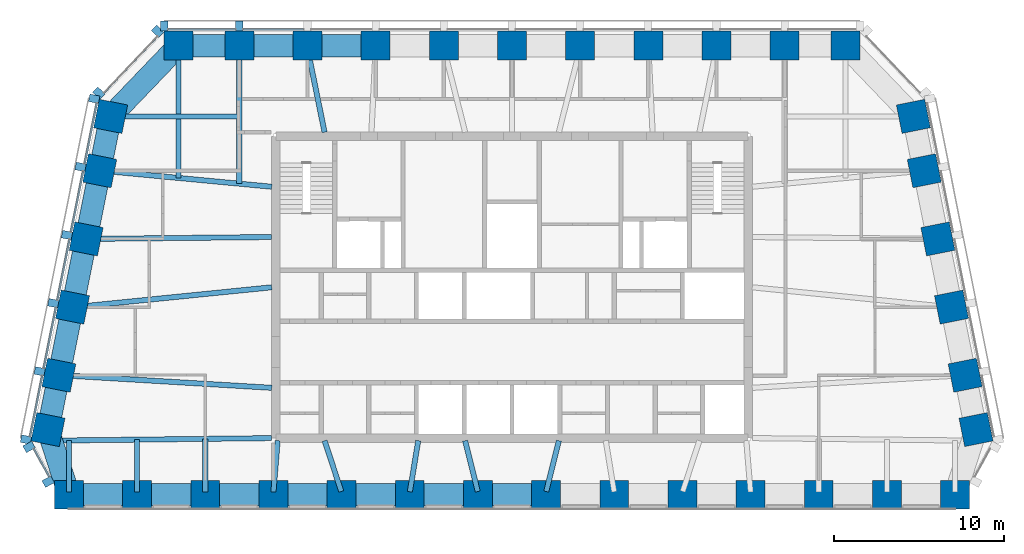
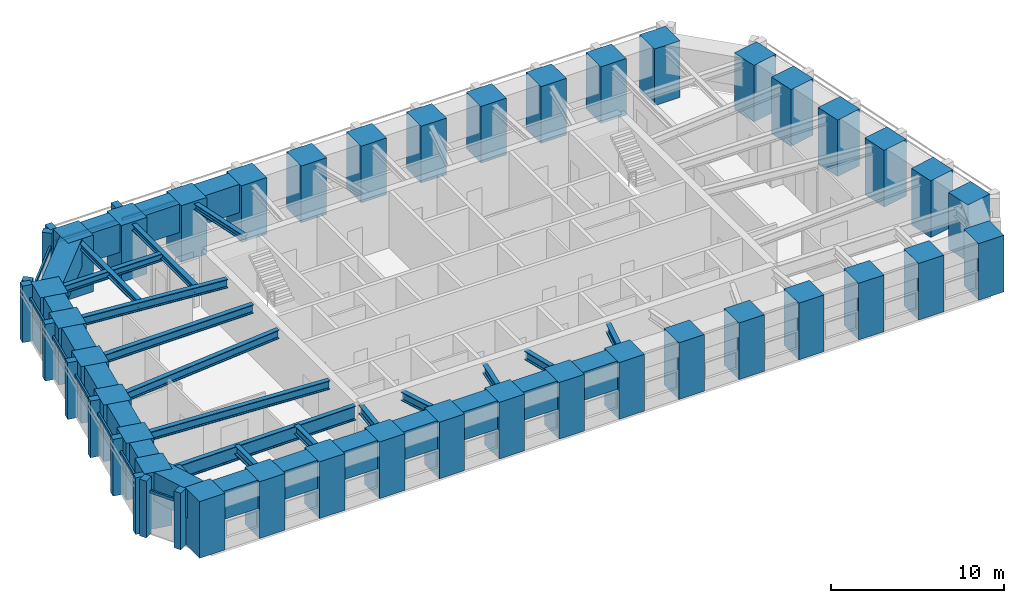
# One storey, part 1 of 9: 37 columns, 34 beams, 21 members, 4 elements without a shape of their own.
"""IFC4 building model written with IfcOpenShell, lengths in metres."""

from ifc_helpers import new_model, si_unit, direction, frame, origin, origin_2d, place, context, subcontext, project, spatial, rectangle, i_section, extrude, material, material_profile, profile_set, type_object, element, aggregate, save


model = new_model("IFC4")

# Units and contexts
model_context = context("Model", 3, precision=1e-05, world=origin(), true_north=direction((0.0, 1.0)))
body_context = subcontext(model_context, "Body", "Model", "MODEL_VIEW")
ifc_project = project(units=[si_unit("LENGTHUNIT", "METRE"), si_unit("AREAUNIT", "SQUARE_METRE"), si_unit("VOLUMEUNIT", "CUBIC_METRE"), si_unit("PLANEANGLEUNIT", "RADIAN"), si_unit("MASSUNIT", "GRAM", prefix="KILO")], contexts=[model_context])

# Site, building, storey
site_placement = place(None, origin())
site = spatial("IfcSite", under=ifc_project, at=site_placement, CompositionType="ELEMENT")
building_placement = place(site_placement, origin())
building = spatial("IfcBuilding", under=site, at=building_placement, Name="Isbrekke Arena Tower", CompositionType="ELEMENT")
storey_placement = place(building_placement, frame((0.0, 0.0, 316.0)))
storey = spatial("IfcBuildingStorey", under=building, at=storey_placement, Name="L74", CompositionType="ELEMENT", Elevation=316.0)

# Columns
ifc_material_1 = material(Name="Concrete B55 (C55/67)", Category="concrete")
ifc_material_profile_1 = material_profile(ifc_material_1, rectangle(XDim=1.699951171875, YDim=1.699951171875, at=origin_2d()), Name="RC 1700x1700")
ifc_profile_set_1 = profile_set([ifc_material_profile_1], Name="Concrete B55 (C55/67)")
column_type = type_object("IfcColumnType", Name="C5 RC 1700 x 1700", PredefinedType="COLUMN", material=ifc_profile_set_1)
for number, where, z_axis, x_axis, name in (
    (1, (-26.0, 2.824951171875, 0.0), (0.0, 0.0, 1.0), (1.0, 0.0, 0.0), "C5 S01"),
    (2, (-22.0, 2.824951171875, 0.0), (0.0, 0.0, 1.0), (1.0, 0.0, 0.0), "C5 S02"),
    (3, (-18.0, 2.824951171875, 0.0), (0.0, 0.0, 1.0), (1.0, 0.0, 0.0), "C5 S03"),
    (4, (-14.0, 2.824951171875, 0.0), (0.0, 0.0, 1.0), (1.0, 0.0, 0.0), "C5 S04"),
    (5, (-10.0, 2.824951171875, 0.0), (0.0, 0.0, 1.0), (1.0, 0.0, 0.0), "C5 S05"),
    (6, (-6.0, 2.824951171875, 0.0), (0.0, 0.0, 1.0), (1.0, 0.0, 0.0), "C5 S06"),
    (7, (-2.0, 2.824951171875, 0.0), (0.0, 0.0, 1.0), (1.0, 0.0, 0.0), "C5 S07"),
    (8, (2.0, 2.824951171875, 0.0), (0.0, 0.0, 1.0), (1.0, 0.0, 0.0), "C5 S08"),
    (9, (6.0, 2.824951171875, 0.0), (0.0, 0.0, 1.0), (1.0, 0.0, 0.0), "C5 S09"),
    (10, (10.0, 2.824951171875, 0.0), (0.0, 0.0, 1.0), (1.0, 0.0, 0.0), "C5 S10"),
    (11, (14.0, 2.824951171875, 0.0), (0.0, 0.0, 1.0), (1.0, 0.0, 0.0), "C5 S11"),
    (12, (18.0, 2.824951171875, 0.0), (0.0, 0.0, 1.0), (1.0, 0.0, 0.0), "C5 S12"),
    (13, (22.0, 2.824951171875, 0.0), (0.0, 0.0, 1.0), (1.0, 0.0, 0.0), "C5 S13"),
    (14, (26.0, 2.824951171875, 0.0), (0.0, 0.0, 1.0), (1.0, 0.0, 0.0), "C5 S14"),
    (15, (27.229248046875, 6.647216796875, 0.0), (0.0, 0.0, 1.0), (-0.196116135138, 0.980580675691, 0.0), "C5 E01"),
    (16, (26.591064453125, 9.838134765625, 0.0), (0.0, 0.0, 1.0), (-0.196116135138, 0.980580675691, 0.0), "C5 E02"),
    (17, (25.791015625, 13.838134765625, 0.0), (0.0, 0.0, 1.0), (-0.196116135138, 0.980580675691, 0.0), "C5 E03"),
    (18, (24.990966796875, 17.838134765625, 0.0), (0.0, 0.0, 1.0), (-0.196116135138, 0.980580675691, 0.0), "C5 E04"),
    (19, (24.19091796875, 21.838134765625, 0.0), (0.0, 0.0, 1.0), (-0.196116135138, 0.980580675691, 0.0), "C5 E05"),
    (20, (23.552734375, 25.029296875, 0.0), (0.0, 0.0, 1.0), (-0.196116135138, 0.980580675691, 0.0), "C5 E06"),
    (21, (19.574951171875, 29.175048828125, 0.0), (0.0, 0.0, 1.0), (-1.0, 0.0, 0.0), "C5 N01"),
    (22, (16.0, 29.175048828125, 0.0), (0.0, 0.0, 1.0), (-1.0, 0.0, 0.0), "C5 N02"),
    (23, (12.0, 29.175048828125, 0.0), (0.0, 0.0, 1.0), (-1.0, 0.0, 0.0), "C5 N03"),
    (24, (8.0, 29.175048828125, 0.0), (0.0, 0.0, 1.0), (-1.0, 0.0, 0.0), "C5 N04"),
    (25, (4.0, 29.175048828125, 0.0), (0.0, 0.0, 1.0), (-1.0, 0.0, 0.0), "C5 N05"),
    (26, (0.0, 29.175048828125, 0.0), (0.0, 0.0, 1.0), (-1.0, 0.0, 0.0), "C5 N06"),
    (27, (-4.0, 29.175048828125, 0.0), (0.0, 0.0, 1.0), (-1.0, 0.0, 0.0), "C5 N07"),
    (28, (-8.0, 29.175048828125, 0.0), (0.0, 0.0, 1.0), (-1.0, 0.0, 0.0), "C5 N08"),
    (29, (-12.0, 29.175048828125, 0.0), (0.0, 0.0, 1.0), (-1.0, 0.0, 0.0), "C5 N09"),
    (30, (-16.0, 29.175048828125, 0.0), (0.0, 0.0, 1.0), (-1.0, 0.0, 0.0), "C5 N10"),
    (31, (-19.574951171875, 29.175048828125, 0.0), (0.0, 0.0, 1.0), (-1.0, 0.0, 0.0), "C5 N11"),
    (32, (-23.552734375, 25.029296875, 0.0), (0.0, 0.0, 1.0), (-0.196116135138, -0.980580675691, 0.0), "C5 W01"),
    (33, (-24.19091796875, 21.838134765625, 0.0), (0.0, 0.0, 1.0), (-0.196116135138, -0.980580675691, 0.0), "C5 W02"),
    (34, (-24.990966796875, 17.838134765625, 0.0), (0.0, 0.0, 1.0), (-0.196116135138, -0.980580675691, 0.0), "C5 W03"),
    (35, (-25.791015625, 13.838134765625, 0.0), (0.0, 0.0, 1.0), (-0.196116135138, -0.980580675691, 0.0), "C5 W04"),
    (36, (-26.591064453125, 9.838134765625, 0.0), (0.0, 0.0, 1.0), (-0.196116135138, -0.980580675691, 0.0), "C5 W05"),
    (37, (-27.229248046875, 6.647216796875, 0.0), (0.0, 0.0, 1.0), (-0.196116135138, -0.980580675691, 0.0), "C5 W06"),
):
    element("IfcColumn", number, at=place(storey_placement, frame(where, z_axis=z_axis, x_axis=x_axis)), inside=storey, type_object=column_type, Name=name, PredefinedType="COLUMN", context=body_context, shape_type="SweptSolid", body=[
        extrude(rectangle(XDim=1.699951171875, YDim=1.699951171875, at=origin_2d()), origin(), (0.0, 0.0, 1.0), 4.0),
    ])

# Beams
ifc_material_2 = material(Name="Steel S355", Category="steel")
ifc_material_profile_2 = material_profile(ifc_material_2, i_section(OverallWidth=0.304931640625, OverallDepth=0.6201171875, WebThickness=0.02099609375, FlangeThickness=0.0400390625, FilletRadius=0.027099609375, at=origin_2d()), Name="HEM 600")
ifc_profile_set_2 = profile_set([ifc_material_profile_2], Name="Steel S355")
beam_type_1 = type_object("IfcBeamType", Name="B4 HEM 600", PredefinedType="BEAM", material=ifc_profile_set_2)
beam_1_placement = place(storey_placement, frame((-26.0, 2.97509765625, 3.5400390625), z_axis=(0.0, 1.0, 0.0), x_axis=(-1.0, 0.0, 0.0)))
element("IfcBeam", 38, at=beam_1_placement, inside=storey, type_object=beam_type_1, Name="B4 beam C-S01 L74", PredefinedType="BEAM", context=body_context, shape_type="SweptSolid", body=[
    extrude(i_section(OverallWidth=0.304931640625, OverallDepth=0.6201171875, WebThickness=0.02099609375, FlangeThickness=0.0400390625, FilletRadius=0.027099609375, at=origin_2d()), origin(), (0.0, 0.0, 1.0), 3.0390625),
])
beam_2_placement = place(storey_placement, frame((-22.0, 2.97509765625, 3.5400390625), z_axis=(0.0, 1.0, 0.0), x_axis=(-1.0, 0.0, 0.0)))
element("IfcBeam", 39, at=beam_2_placement, inside=storey, type_object=beam_type_1, Name="B4 beam C-S02 L74", PredefinedType="BEAM", context=body_context, shape_type="SweptSolid", body=[
    extrude(i_section(OverallWidth=0.304931640625, OverallDepth=0.6201171875, WebThickness=0.02099609375, FlangeThickness=0.0400390625, FilletRadius=0.027099609375, at=origin_2d()), origin(), (0.0, 0.0, 1.0), 3.084716796875),
])
beam_3_placement = place(storey_placement, frame((-18.0, 2.97509765625, 3.5400390625), z_axis=(0.0, 1.0, 0.0), x_axis=(-1.0, 0.0, 0.0)))
element("IfcBeam", 40, at=beam_3_placement, inside=storey, type_object=beam_type_1, Name="B4 beam C-S03 L74", PredefinedType="BEAM", context=body_context, shape_type="SweptSolid", body=[
    extrude(i_section(OverallWidth=0.304931640625, OverallDepth=0.6201171875, WebThickness=0.02099609375, FlangeThickness=0.0400390625, FilletRadius=0.027099609375, at=origin_2d()), origin(), (0.0, 0.0, 1.0), 3.13037109375),
])
beam_4_placement = place(storey_placement, frame((-13.9990234375, 2.987548828125, 3.5400390625), z_axis=(0.082383718089, 0.996600683822, 0.0), x_axis=(-0.996600683822, 0.082383718089, 0.0)))
element("IfcBeam", 41, at=beam_4_placement, inside=storey, type_object=beam_type_1, Name="B4 beam C-S04 L74", PredefinedType="BEAM", context=body_context, shape_type="SweptSolid", body=[
    extrude(i_section(OverallWidth=0.304931640625, OverallDepth=0.6201171875, WebThickness=0.02099609375, FlangeThickness=0.0400390625, FilletRadius=0.027099609375, at=origin_2d()), origin(), (0.0, 0.0, 1.0), 3.022705078125),
])
beam_5_placement = place(storey_placement, frame((-10.01513671875, 3.0205078125, 3.5400390625), z_axis=(-0.313846083605, 0.949473873156, 0.0), x_axis=(-0.949473873156, -0.313846083605, 0.0)))
element("IfcBeam", 42, at=beam_5_placement, inside=storey, type_object=beam_type_1, Name="B4 beam C-S05 L74", PredefinedType="BEAM", context=body_context, shape_type="SweptSolid", body=[
    extrude(i_section(OverallWidth=0.304931640625, OverallDepth=0.6201171875, WebThickness=0.02099609375, FlangeThickness=0.0400390625, FilletRadius=0.027099609375, at=origin_2d()), origin(), (0.0, 0.0, 1.0), 3.137939453125),
])
beam_6_placement = place(storey_placement, frame((-5.995849609375, 2.99951171875, 3.5400390625), z_axis=(0.163044952053, 0.986618641426, 0.0), x_axis=(-0.986618641426, 0.163044952053, 0.0)))
element("IfcBeam", 43, at=beam_6_placement, inside=storey, type_object=beam_type_1, Name="B4 beam C-S06 L74", PredefinedType="BEAM", context=body_context, shape_type="SweptSolid", body=[
    extrude(i_section(OverallWidth=0.304931640625, OverallDepth=0.6201171875, WebThickness=0.02099609375, FlangeThickness=0.0400390625, FilletRadius=0.027099609375, at=origin_2d()), origin(), (0.0, 0.0, 1.0), 3.041259765625),
])
for number, where, z_axis, x_axis, name in (
    (44, (-2.0087890625, 3.0107421875, 3.5400390625), (-0.240669951999, 0.970607013268, 0.0), (-0.970607013268, -0.240669951999, 0.0), "B4 beam C-S07 L74"),
    (45, (2.0087890625, 3.0107421875, 3.5400390625), (0.240669951999, 0.970607013268, 0.0), (-0.970607013268, 0.240669951999, 0.0), "B4 beam C-S08 L74"),
):
    element("IfcBeam", number, at=place(storey_placement, frame(where, z_axis=z_axis, x_axis=x_axis)), inside=storey, type_object=beam_type_1, Name=name, PredefinedType="BEAM", context=body_context, shape_type="SweptSolid", body=[
        extrude(i_section(OverallWidth=0.304931640625, OverallDepth=0.6201171875, WebThickness=0.02099609375, FlangeThickness=0.0400390625, FilletRadius=0.027099609375, at=origin_2d()), origin(), (0.0, 0.0, 1.0), 3.079833984375),
    ])
beam_7_placement = place(storey_placement, frame((-24.02685546875, 21.8369140625, 3.5400390625), z_axis=(0.995574576627, -0.093974796485, 0.0), x_axis=(0.093974796485, 0.995574576627, 0.0)))
element("IfcBeam", 46, at=beam_7_placement, inside=storey, type_object=beam_type_1, Name="B4 beam E-W02 L74", PredefinedType="BEAM", context=body_context, shape_type="SweptSolid", body=[
    extrude(i_section(OverallWidth=0.304931640625, OverallDepth=0.6201171875, WebThickness=0.02099609375, FlangeThickness=0.0400390625, FilletRadius=0.027099609375, at=origin_2d()), origin(), (0.0, 0.0, 1.0), 9.970947265625),
])
beam_8_placement = place(storey_placement, frame((-24.83935546875, 17.838134765625, 3.5400390625), z_axis=(0.999945800258, 0.010411366203, 0.0), x_axis=(-0.010411366203, 0.999945800258, 0.0)))
element("IfcBeam", 47, at=beam_8_placement, inside=storey, type_object=beam_type_1, Name="B4 beam E-W03 L74", PredefinedType="BEAM", context=body_context, shape_type="SweptSolid", body=[
    extrude(i_section(OverallWidth=0.304931640625, OverallDepth=0.6201171875, WebThickness=0.02099609375, FlangeThickness=0.0400390625, FilletRadius=0.027099609375, at=origin_2d()), origin(), (0.0, 0.0, 1.0), 10.73974609375),
])
beam_9_placement = place(storey_placement, frame((-25.625732421875, 13.83984375, 3.5400390625), z_axis=(0.994972081505, 0.100152668587, 0.0), x_axis=(-0.100152668587, 0.994972081505, 0.0)))
element("IfcBeam", 48, at=beam_9_placement, inside=storey, type_object=beam_type_1, Name="B4 beam E-W04 L74", PredefinedType="BEAM", context=body_context, shape_type="SweptSolid", body=[
    extrude(i_section(OverallWidth=0.304931640625, OverallDepth=0.6201171875, WebThickness=0.02099609375, FlangeThickness=0.0400390625, FilletRadius=0.027099609375, at=origin_2d()), origin(), (0.0, 0.0, 1.0), 11.583984375),
])
beam_10_placement = place(storey_placement, frame((-26.431884765625, 9.837646484375, 3.5400390625), z_axis=(0.998216240514, -0.059702070095, 0.0), x_axis=(0.059702070095, 0.998216240514, 0.0)))
element("IfcBeam", 49, at=beam_10_placement, inside=storey, type_object=beam_type_1, Name="B4 beam E-W05 L74", PredefinedType="BEAM", context=body_context, shape_type="SweptSolid", body=[
    extrude(i_section(OverallWidth=0.304931640625, OverallDepth=0.6201171875, WebThickness=0.02099609375, FlangeThickness=0.0400390625, FilletRadius=0.027099609375, at=origin_2d()), origin(), (0.0, 0.0, 1.0), 12.353759765625),
])
ifc_material_3 = material(Name="Steel S355", Category="steel")
ifc_material_profile_3 = material_profile(ifc_material_3, i_section(OverallWidth=0.305908203125, OverallDepth=0.52392578125, WebThickness=0.02099609375, FlangeThickness=0.0400390625, FilletRadius=0.027099609375, at=origin_2d()), Name="HEM 500")
ifc_profile_set_3 = profile_set([ifc_material_profile_3], Name="Steel S355")
beam_type_2 = type_object("IfcBeamType", Name="B5 HEM 500", PredefinedType="BEAM", material=ifc_profile_set_3)
beam_11_placement = place(storey_placement, frame((-23.40283203125, 25.029296875, 3.587890625), z_axis=(1.0, 0.0, 0.0), x_axis=(0.0, 1.0, 0.0)))
element("IfcBeam", 50, at=beam_11_placement, inside=storey, type_object=beam_type_2, Name="B5 beam E-W01 L74", PredefinedType="BEAM", context=body_context, shape_type="SweptSolid", body=[
    extrude(i_section(OverallWidth=0.305908203125, OverallDepth=0.52392578125, WebThickness=0.02099609375, FlangeThickness=0.0400390625, FilletRadius=0.027099609375, at=origin_2d()), origin(), (0.0, 0.0, 1.0), 7.40283203125),
])
ifc_material_4 = material(Name="Steel S355", Category="steel")
ifc_material_profile_4 = material_profile(ifc_material_4, i_section(OverallWidth=0.306884765625, OverallDepth=0.431884765625, WebThickness=0.02099609375, FlangeThickness=0.0400390625, FilletRadius=0.027099609375, at=origin_2d()), Name="HEM 400")
ifc_profile_set_4 = profile_set([ifc_material_profile_4], Name="Steel S355")
beam_type_3 = type_object("IfcBeamType", Name="B6 HEM 400", PredefinedType="BEAM", material=ifc_profile_set_4)
beam_12_placement = place(storey_placement, frame((-16.0, 29.02490234375, 3.634033203125), z_axis=(0.0, -1.0, 0.0), x_axis=(1.0, 0.0, 0.0)))
element("IfcBeam", 51, at=beam_12_placement, inside=storey, type_object=beam_type_3, Name="B6 beam N-N10 L74", PredefinedType="BEAM", context=body_context, shape_type="SweptSolid", body=[
    extrude(i_section(OverallWidth=0.306884765625, OverallDepth=0.431884765625, WebThickness=0.02099609375, FlangeThickness=0.0400390625, FilletRadius=0.027099609375, at=origin_2d()), origin(), (0.0, 0.0, 1.0), 7.945556640625),
])
beam_13_placement = place(storey_placement, frame((-19.574951171875, 29.02490234375, 3.634033203125), z_axis=(0.0, -1.0, 0.0), x_axis=(1.0, 0.0, 0.0)))
element("IfcBeam", 52, at=beam_13_placement, inside=storey, type_object=beam_type_3, Name="B6 beam N-N11 L74", PredefinedType="BEAM", context=body_context, shape_type="SweptSolid", body=[
    extrude(i_section(OverallWidth=0.306884765625, OverallDepth=0.431884765625, WebThickness=0.02099609375, FlangeThickness=0.0400390625, FilletRadius=0.027099609375, at=origin_2d()), origin(), (0.0, 0.0, 1.0), 7.608154296875),
])
beam_14_placement = place(storey_placement, frame((-11.993896484375, 28.9951171875, 3.634033203125), z_axis=(0.198982177337, -0.980003108721, 0.0), x_axis=(0.980003108721, 0.198982177337, 0.0)))
element("IfcBeam", 53, at=beam_14_placement, inside=storey, type_object=beam_type_3, Name="B6 beam N-N09 L74", PredefinedType="BEAM", context=body_context, shape_type="SweptSolid", body=[
    extrude(i_section(OverallWidth=0.306884765625, OverallDepth=0.431884765625, WebThickness=0.02099609375, FlangeThickness=0.0400390625, FilletRadius=0.027099609375, at=origin_2d()), origin(), (0.0, 0.0, 1.0), 4.994873046875),
])

# Curtain wall, members
ifc_material_5 = material(Name="Glazed aluminium curtain wall", Category="aluminium")
curtain_wall_type = type_object("IfcCurtainWallType", Name="CWT TOWER CURTAIN WALL TOP ZONE", PredefinedType="USERDEFINED", material=ifc_material_5)
curtain_wall_1_placement = place(storey_placement, origin())
curtain_wall_1 = element("IfcCurtainWall", 54, at=curtain_wall_1_placement, inside=storey, type_object=curtain_wall_type, Name="CWT curtain wall L74-N", ObjectType="TOWER CURTAIN WALL TOP ZONE", PredefinedType="USERDEFINED")
ifc_material_6 = material(Name="Copper-clad aluminium mullion", Category="aluminium")
ifc_material_profile_5 = material_profile(ifc_material_6, rectangle(XDim=0.449951171875, YDim=0.60009765625, at=origin_2d()), Name="PIER 450X600")
ifc_profile_set_5 = profile_set([ifc_material_profile_5], Name="Copper-clad aluminium mullion")
member_type_1 = type_object("IfcMemberType", Name="CWT-M PIER MULLION 450 x 600", PredefinedType="MULLION", material=ifc_profile_set_5)
member_1_placement = place(storey_placement, frame((-16.0, 30.324951171875, 0.0), z_axis=(0.0, 0.0, 1.0), x_axis=(-1.0, 0.0, 0.0)))
member_1 = element("IfcMember", 55, at=member_1_placement, type_object=member_type_1, Name="CWT-M mullion 10", PredefinedType="MULLION", context=body_context, shape_type="SweptSolid", body=[
    extrude(rectangle(XDim=0.449951171875, YDim=0.60009765625, at=origin_2d()), origin(), (0.0, 0.0, 1.0), 4.0),
])
member_2_placement = place(storey_placement, frame((-20.39990234375, 30.324951171875, 0.0), z_axis=(0.0, 0.0, 1.0), x_axis=(-1.0, 0.0, 0.0)))
member_2 = element("IfcMember", 56, at=member_2_placement, type_object=member_type_1, Name="CWT-M mullion 11", PredefinedType="MULLION", context=body_context, shape_type="SweptSolid", body=[
    extrude(rectangle(XDim=0.449951171875, YDim=0.60009765625, at=origin_2d()), origin(), (0.0, 0.0, 1.0), 4.0),
])

curtain_wall_2_placement = place(storey_placement, origin())
curtain_wall_2 = element("IfcCurtainWall", 57, at=curtain_wall_2_placement, inside=storey, type_object=curtain_wall_type, Name="CWT curtain wall L74-NW", ObjectType="TOWER CURTAIN WALL TOP ZONE", PredefinedType="USERDEFINED")
member_3_placement = place(storey_placement, frame((-20.795166015625, 30.01953125, 0.0), z_axis=(0.0, 0.0, 1.0), x_axis=(-0.68874946192, -0.72499943359, 0.0)))
member_3 = element("IfcMember", 58, at=member_3_placement, type_object=member_type_1, Name="CWT-M mullion 1", PredefinedType="MULLION", context=body_context, shape_type="SweptSolid", body=[
    extrude(rectangle(XDim=0.449951171875, YDim=0.60009765625, at=origin_2d()), origin(), (0.0, 0.0, 1.0), 4.0),
])
member_4_placement = place(storey_placement, frame((-24.243896484375, 26.389404296875, 0.0), z_axis=(0.0, 0.0, 1.0), x_axis=(-0.68874946192, -0.72499943359, 0.0)))
member_4 = element("IfcMember", 59, at=member_4_placement, type_object=member_type_1, Name="CWT-M mullion 2", PredefinedType="MULLION", context=body_context, shape_type="SweptSolid", body=[
    extrude(rectangle(XDim=0.449951171875, YDim=0.60009765625, at=origin_2d()), origin(), (0.0, 0.0, 1.0), 4.0),
])

curtain_wall_3_placement = place(storey_placement, origin())
curtain_wall_3 = element("IfcCurtainWall", 60, at=curtain_wall_3_placement, inside=storey, type_object=curtain_wall_type, Name="CWT curtain wall L74-W", ObjectType="TOWER CURTAIN WALL TOP ZONE", PredefinedType="USERDEFINED")
member_5_placement = place(storey_placement, frame((-24.518798828125, 26.063720703125, 0.0), z_axis=(0.0, 0.0, 1.0), x_axis=(-0.196116135138, -0.980580675691, 0.0)))
member_5 = element("IfcMember", 61, at=member_5_placement, type_object=member_type_1, Name="CWT-M mullion 1", PredefinedType="MULLION", context=body_context, shape_type="SweptSolid", body=[
    extrude(rectangle(XDim=0.449951171875, YDim=0.60009765625, at=origin_2d()), origin(), (0.0, 0.0, 1.0), 4.0),
])
member_6_placement = place(storey_placement, frame((-25.318603515625, 22.063720703125, 0.0), z_axis=(0.0, 0.0, 1.0), x_axis=(-0.196116135138, -0.980580675691, 0.0)))
member_6 = element("IfcMember", 62, at=member_6_placement, type_object=member_type_1, Name="CWT-M mullion 2", PredefinedType="MULLION", context=body_context, shape_type="SweptSolid", body=[
    extrude(rectangle(XDim=0.449951171875, YDim=0.60009765625, at=origin_2d()), origin(), (0.0, 0.0, 1.0), 4.0),
])
member_7_placement = place(storey_placement, frame((-26.11865234375, 18.063720703125, 0.0), z_axis=(0.0, 0.0, 1.0), x_axis=(-0.196116135138, -0.980580675691, 0.0)))
member_7 = element("IfcMember", 63, at=member_7_placement, type_object=member_type_1, Name="CWT-M mullion 3", PredefinedType="MULLION", context=body_context, shape_type="SweptSolid", body=[
    extrude(rectangle(XDim=0.449951171875, YDim=0.60009765625, at=origin_2d()), origin(), (0.0, 0.0, 1.0), 4.0),
])
member_8_placement = place(storey_placement, frame((-26.918701171875, 14.063720703125, 0.0), z_axis=(0.0, 0.0, 1.0), x_axis=(-0.196116135138, -0.980580675691, 0.0)))
member_8 = element("IfcMember", 64, at=member_8_placement, type_object=member_type_1, Name="CWT-M mullion 4", PredefinedType="MULLION", context=body_context, shape_type="SweptSolid", body=[
    extrude(rectangle(XDim=0.449951171875, YDim=0.60009765625, at=origin_2d()), origin(), (0.0, 0.0, 1.0), 4.0),
])
member_9_placement = place(storey_placement, frame((-27.71875, 10.063720703125, 0.0), z_axis=(0.0, 0.0, 1.0), x_axis=(-0.196116135138, -0.980580675691, 0.0)))
member_9 = element("IfcMember", 65, at=member_9_placement, type_object=member_type_1, Name="CWT-M mullion 5", PredefinedType="MULLION", context=body_context, shape_type="SweptSolid", body=[
    extrude(rectangle(XDim=0.449951171875, YDim=0.60009765625, at=origin_2d()), origin(), (0.0, 0.0, 1.0), 4.0),
])
member_10_placement = place(storey_placement, frame((-28.518798828125, 6.063720703125, 0.0), z_axis=(0.0, 0.0, 1.0), x_axis=(-0.196116135138, -0.980580675691, 0.0)))
member_10 = element("IfcMember", 66, at=member_10_placement, type_object=member_type_1, Name="CWT-M mullion 6", PredefinedType="MULLION", context=body_context, shape_type="SweptSolid", body=[
    extrude(rectangle(XDim=0.449951171875, YDim=0.60009765625, at=origin_2d()), origin(), (0.0, 0.0, 1.0), 4.0),
])

curtain_wall_4_placement = place(storey_placement, origin())
curtain_wall_4 = element("IfcCurtainWall", 67, at=curtain_wall_4_placement, inside=storey, type_object=curtain_wall_type, Name="CWT curtain wall L74-WS", ObjectType="TOWER CURTAIN WALL TOP ZONE", PredefinedType="USERDEFINED")
member_11_placement = place(storey_placement, frame((-28.34033203125, 5.632568359375, 0.0), z_axis=(0.0, 0.0, 1.0), x_axis=(0.481918749773, -0.876215908676, 0.0)))
member_11 = element("IfcMember", 68, at=member_11_placement, type_object=member_type_1, Name="CWT-M mullion 1", PredefinedType="MULLION", context=body_context, shape_type="SweptSolid", body=[
    extrude(rectangle(XDim=0.449951171875, YDim=0.60009765625, at=origin_2d()), origin(), (0.0, 0.0, 1.0), 4.0),
])
member_12_placement = place(storey_placement, frame((-27.21826171875, 3.592529296875, 0.0), z_axis=(0.0, 0.0, 1.0), x_axis=(0.481918749773, -0.876215908676, 0.0)))
member_12 = element("IfcMember", 69, at=member_12_placement, type_object=member_type_1, Name="CWT-M mullion 2", PredefinedType="MULLION", context=body_context, shape_type="SweptSolid", body=[
    extrude(rectangle(XDim=0.449951171875, YDim=0.60009765625, at=origin_2d()), origin(), (0.0, 0.0, 1.0), 4.0),
])

# Member
ifc_material_7 = material(Name="Aluminium transom", Category="aluminium")
ifc_material_profile_6 = material_profile(ifc_material_7, rectangle(XDim=0.1201171875, YDim=0.199951171875, at=origin_2d()), Name="TRANSOM 120X200")
ifc_profile_set_6 = profile_set([ifc_material_profile_6], Name="Aluminium transom")
member_type_2 = type_object("IfcMemberType", Name="CWT-T TRANSOM 120 x 200", PredefinedType="USERDEFINED", material=ifc_profile_set_6)
member_13_placement = place(storey_placement, frame((-12.22509765625, 30.125, 3.0), z_axis=(-1.0, 0.0, 0.0), x_axis=(0.0, -1.0, 0.0)))
member_13 = element("IfcMember", 70, at=member_13_placement, type_object=member_type_2, Name="CWT-T transom 9", ObjectType="TRANSOM", PredefinedType="USERDEFINED", context=body_context, shape_type="SweptSolid", body=[
    extrude(rectangle(XDim=0.1201171875, YDim=0.199951171875, at=origin_2d()), origin(), (0.0, 0.0, 1.0), 3.5498046875),
])

member_14_placement = place(storey_placement, frame((-16.22509765625, 30.125, 3.0), z_axis=(-1.0, 0.0, 0.0), x_axis=(0.0, -1.0, 0.0)))
member_14 = element("IfcMember", 71, at=member_14_placement, type_object=member_type_2, Name="CWT-T transom 10", ObjectType="TRANSOM", PredefinedType="USERDEFINED", context=body_context, shape_type="SweptSolid", body=[
    extrude(rectangle(XDim=0.1201171875, YDim=0.199951171875, at=origin_2d()), origin(), (0.0, 0.0, 1.0), 3.949951171875),
])

aggregate(curtain_wall_1, [member_1, member_2, member_13, member_14])

member_15_placement = place(storey_placement, frame((-20.80517578125, 29.71875, 3.0), z_axis=(-0.688739606035, -0.725008796552, 0.0), x_axis=(0.725008796552, -0.688739606035, 0.0)))
member_15 = element("IfcMember", 72, at=member_15_placement, type_object=member_type_2, Name="CWT-T transom 1", ObjectType="TRANSOM", PredefinedType="USERDEFINED", context=body_context, shape_type="SweptSolid", body=[
    extrude(rectangle(XDim=0.1201171875, YDim=0.199951171875, at=origin_2d()), origin(), (0.0, 0.0, 1.0), 4.55712890625),
])

aggregate(curtain_wall_2, [member_3, member_4, member_15])

member_16_placement = place(storey_placement, frame((-24.36669921875, 25.803955078125, 3.0), z_axis=(-0.196090262229, -0.980585849918, 0.0), x_axis=(0.980585849918, -0.196090262229, 0.0)))
member_16 = element("IfcMember", 73, at=member_16_placement, type_object=member_type_2, Name="CWT-T transom 1", ObjectType="TRANSOM", PredefinedType="USERDEFINED", context=body_context, shape_type="SweptSolid", body=[
    extrude(rectangle(XDim=0.1201171875, YDim=0.199951171875, at=origin_2d()), origin(), (0.0, 0.0, 1.0), 3.62939453125),
])

member_17_placement = place(storey_placement, frame((-25.166748046875, 21.803955078125, 3.0), z_axis=(-0.196090262229, -0.980585849918, 0.0), x_axis=(0.980585849918, -0.196090262229, 0.0)))
member_17 = element("IfcMember", 74, at=member_17_placement, type_object=member_type_2, Name="CWT-T transom 2", ObjectType="TRANSOM", PredefinedType="USERDEFINED", context=body_context, shape_type="SweptSolid", body=[
    extrude(rectangle(XDim=0.1201171875, YDim=0.199951171875, at=origin_2d()), origin(), (0.0, 0.0, 1.0), 3.62939453125),
])

member_18_placement = place(storey_placement, frame((-25.966796875, 17.803955078125, 3.0), z_axis=(-0.196090262229, -0.980585849918, 0.0), x_axis=(0.980585849918, -0.196090262229, 0.0)))
member_18 = element("IfcMember", 75, at=member_18_placement, type_object=member_type_2, Name="CWT-T transom 3", ObjectType="TRANSOM", PredefinedType="USERDEFINED", context=body_context, shape_type="SweptSolid", body=[
    extrude(rectangle(XDim=0.1201171875, YDim=0.199951171875, at=origin_2d()), origin(), (0.0, 0.0, 1.0), 3.62939453125),
])

member_19_placement = place(storey_placement, frame((-26.7666015625, 13.803955078125, 3.0), z_axis=(-0.196154943734, -0.980572913173, 0.0), x_axis=(0.980572913173, -0.196154943734, 0.0)))
member_19 = element("IfcMember", 76, at=member_19_placement, type_object=member_type_2, Name="CWT-T transom 4", ObjectType="TRANSOM", PredefinedType="USERDEFINED", context=body_context, shape_type="SweptSolid", body=[
    extrude(rectangle(XDim=0.1201171875, YDim=0.199951171875, at=origin_2d()), origin(), (0.0, 0.0, 1.0), 3.62939453125),
])

member_20_placement = place(storey_placement, frame((-27.566650390625, 9.803955078125, 3.0), z_axis=(-0.196154943734, -0.980572913173, 0.0), x_axis=(0.980572913173, -0.196154943734, 0.0)))
member_20 = element("IfcMember", 77, at=member_20_placement, type_object=member_type_2, Name="CWT-T transom 5", ObjectType="TRANSOM", PredefinedType="USERDEFINED", context=body_context, shape_type="SweptSolid", body=[
    extrude(rectangle(XDim=0.1201171875, YDim=0.199951171875, at=origin_2d()), origin(), (0.0, 0.0, 1.0), 3.62939453125),
])

aggregate(curtain_wall_3, [member_5, member_6, member_7, member_8, member_9, member_10, member_16, member_17, member_18, member_19, member_20])

member_21_placement = place(storey_placement, frame((-28.056640625, 5.53173828125, 3.0), z_axis=(0.481918749772, -0.876215908677, 0.0), x_axis=(0.876215908677, 0.481918749772, 0.0)))
member_21 = element("IfcMember", 78, at=member_21_placement, type_object=member_type_2, Name="CWT-T transom 1", ObjectType="TRANSOM", PredefinedType="USERDEFINED", context=body_context, shape_type="SweptSolid", body=[
    extrude(rectangle(XDim=0.1201171875, YDim=0.199951171875, at=origin_2d()), origin(), (0.0, 0.0, 1.0), 1.8779296875),
])

aggregate(curtain_wall_4, [member_11, member_12, member_21])

# Beams
ifc_material_8 = material(Name="Steel S355", Category="steel")
ifc_material_profile_7 = material_profile(ifc_material_8, i_section(OverallWidth=0.302001953125, OverallDepth=1.008056640625, WebThickness=0.02099609375, FlangeThickness=0.0400390625, FilletRadius=0.030029296875, at=origin_2d()), Name="HEM 1000")
ifc_profile_set_7 = profile_set([ifc_material_profile_7], Name="Steel S355")
beam_type_4 = type_object("IfcBeamType", Name="G2 HEM 1000", PredefinedType="BEAM", material=ifc_profile_set_7)
beam_15_placement = place(storey_placement, frame((-14.10009765625, 6.14990234375, 3.345947265625), z_axis=(-0.999934809516, -0.011418262471, 0.0), x_axis=(0.011418262471, -0.999934809516, 0.0)))
element("IfcBeam", 79, at=beam_15_placement, inside=storey, type_object=beam_type_4, Name="G2 beam G2-W L74", PredefinedType="BEAM", context=body_context, shape_type="SweptSolid", body=[
    extrude(i_section(OverallWidth=0.302001953125, OverallDepth=1.008056640625, WebThickness=0.02099609375, FlangeThickness=0.0400390625, FilletRadius=0.030029296875, at=origin_2d()), origin(), (0.0, 0.0, 1.0), 13.12841796875),
])
ifc_material_9 = material(Name="Concrete B55 (C55/67)", Category="concrete")
ifc_material_profile_8 = material_profile(ifc_material_9, rectangle(XDim=1.300048828125, YDim=2.0, at=origin_2d()), Name="RC 1300x2000")
ifc_profile_set_8 = profile_set([ifc_material_profile_8], Name="Concrete B55 (C55/67)")
beam_type_5 = type_object("IfcBeamType", Name="SB4 RC 1300 x 2000", PredefinedType="SPANDREL", material=ifc_profile_set_8)
for number, where, z_axis, x_axis, name in (
    (80, (-25.85009765625, 2.824951171875, 3.0), (1.0, 0.0, 0.0), (0.0, 1.0, 0.0), "SB4 spandrel S01-S02 L74"),
    (81, (-21.85009765625, 2.824951171875, 3.0), (1.0, 0.0, 0.0), (0.0, 1.0, 0.0), "SB4 spandrel S02-S03 L74"),
    (82, (-17.85009765625, 2.824951171875, 3.0), (1.0, 0.0, 0.0), (0.0, 1.0, 0.0), "SB4 spandrel S03-S04 L74"),
    (83, (-13.85009765625, 2.824951171875, 3.0), (1.0, 0.0, 0.0), (0.0, 1.0, 0.0), "SB4 spandrel S04-S05 L74"),
    (84, (-9.85009765625, 2.824951171875, 3.0), (1.0, 0.0, 0.0), (0.0, 1.0, 0.0), "SB4 spandrel S05-S06 L74"),
    (85, (-5.85009765625, 2.824951171875, 3.0), (1.0, 0.0, 0.0), (0.0, 1.0, 0.0), "SB4 spandrel S06-S07 L74"),
    (86, (-1.85009765625, 2.824951171875, 3.0), (1.0, 0.0, 0.0), (0.0, 1.0, 0.0), "SB4 spandrel S07-S08 L74"),
    (87, (-8.14990234375, 29.175048828125, 3.0), (-1.0, 0.0, 0.0), (0.0, -1.0, 0.0), "SB4 spandrel N08-N09 L74"),
    (88, (-12.14990234375, 29.175048828125, 3.0), (-1.0, 0.0, 0.0), (0.0, -1.0, 0.0), "SB4 spandrel N09-N10 L74"),
):
    element("IfcBeam", number, at=place(storey_placement, frame(where, z_axis=z_axis, x_axis=x_axis)), inside=storey, type_object=beam_type_5, Name=name, PredefinedType="SPANDREL", context=body_context, shape_type="SweptSolid", body=[
        extrude(rectangle(XDim=1.300048828125, YDim=2.0, at=origin_2d()), origin(), (0.0, 0.0, 1.0), 3.7001953125),
    ])
beam_16_placement = place(storey_placement, frame((-16.14990234375, 29.175048828125, 3.0), z_axis=(-1.0, 0.0, 0.0), x_axis=(0.0, -1.0, 0.0)))
element("IfcBeam", 89, at=beam_16_placement, inside=storey, type_object=beam_type_5, Name="SB4 spandrel N10-N11 L74", PredefinedType="SPANDREL", context=body_context, shape_type="SweptSolid", body=[
    extrude(rectangle(XDim=1.300048828125, YDim=2.0, at=origin_2d()), origin(), (0.0, 0.0, 1.0), 3.275146484375),
])
beam_17_placement = place(storey_placement, frame((-19.678955078125, 29.066650390625, 3.0), z_axis=(-0.692339547635, -0.721571861134, 0.0), x_axis=(0.721571861134, -0.692339547635, 0.0)))
element("IfcBeam", 90, at=beam_17_placement, inside=storey, type_object=beam_type_5, Name="SB4 spandrel N11-W01 L74", PredefinedType="SPANDREL", context=body_context, shape_type="SweptSolid", body=[
    extrude(rectangle(XDim=1.300048828125, YDim=2.0, at=origin_2d()), origin(), (0.0, 0.0, 1.0), 5.4453125),
])
beam_18_placement = place(storey_placement, frame((-23.582275390625, 24.882080078125, 3.0), z_axis=(-0.196116135138, -0.980580675691, 0.0), x_axis=(0.980580675691, -0.196116135138, 0.0)))
element("IfcBeam", 91, at=beam_18_placement, inside=storey, type_object=beam_type_5, Name="SB4 spandrel W01-W02 L74", PredefinedType="SPANDREL", context=body_context, shape_type="SweptSolid", body=[
    extrude(rectangle(XDim=1.300048828125, YDim=2.0, at=origin_2d()), origin(), (0.0, 0.0, 1.0), 2.9541015625),
])
for number, where, z_axis, x_axis, name in (
    (92, (-24.220458984375, 21.691162109375, 3.0), (-0.196128558387, -0.980578190959, 0.0), (0.980578190959, -0.196128558387, 0.0), "SB4 spandrel W02-W03 L74"),
    (93, (-25.0205078125, 17.691162109375, 3.0), (-0.196128558387, -0.980578190959, 0.0), (0.980578190959, -0.196128558387, 0.0), "SB4 spandrel W03-W04 L74"),
):
    element("IfcBeam", number, at=place(storey_placement, frame(where, z_axis=z_axis, x_axis=x_axis)), inside=storey, type_object=beam_type_5, Name=name, PredefinedType="SPANDREL", context=body_context, shape_type="SweptSolid", body=[
        extrude(rectangle(XDim=1.300048828125, YDim=2.0, at=origin_2d()), origin(), (0.0, 0.0, 1.0), 3.779296875),
    ])
beam_19_placement = place(storey_placement, frame((-25.820556640625, 13.691162109375, 3.0), z_axis=(-0.1960664412, -0.980590613169, 0.0), x_axis=(0.980590613169, -0.1960664412, 0.0)))
element("IfcBeam", 94, at=beam_19_placement, inside=storey, type_object=beam_type_5, Name="SB4 spandrel W04-W05 L74", PredefinedType="SPANDREL", context=body_context, shape_type="SweptSolid", body=[
    extrude(rectangle(XDim=1.300048828125, YDim=2.0, at=origin_2d()), origin(), (0.0, 0.0, 1.0), 3.779052734375),
])
beam_20_placement = place(storey_placement, frame((-26.620361328125, 9.691162109375, 3.0), z_axis=(-0.196100243168, -0.980583853951, 0.0), x_axis=(0.980583853951, -0.196100243168, 0.0)))
element("IfcBeam", 95, at=beam_20_placement, inside=storey, type_object=beam_type_5, Name="SB4 spandrel W05-W06 L74", PredefinedType="SPANDREL", context=body_context, shape_type="SweptSolid", body=[
    extrude(rectangle(XDim=1.300048828125, YDim=2.0, at=origin_2d()), origin(), (0.0, 0.0, 1.0), 2.954345703125),
])
beam_21_placement = place(storey_placement, frame((-27.183349609375, 6.50439453125, 3.0), z_axis=(0.306175101476, -0.951975213562, 0.0), x_axis=(0.951975213562, 0.306175101476, 0.0)))
element("IfcBeam", 96, at=beam_21_placement, inside=storey, type_object=beam_type_5, Name="SB4 spandrel W06-S01 L74", PredefinedType="SPANDREL", context=body_context, shape_type="SweptSolid", body=[
    extrude(rectangle(XDim=1.300048828125, YDim=2.0, at=origin_2d()), origin(), (0.0, 0.0, 1.0), 3.715087890625),
])

save(model, "model.ifc")
